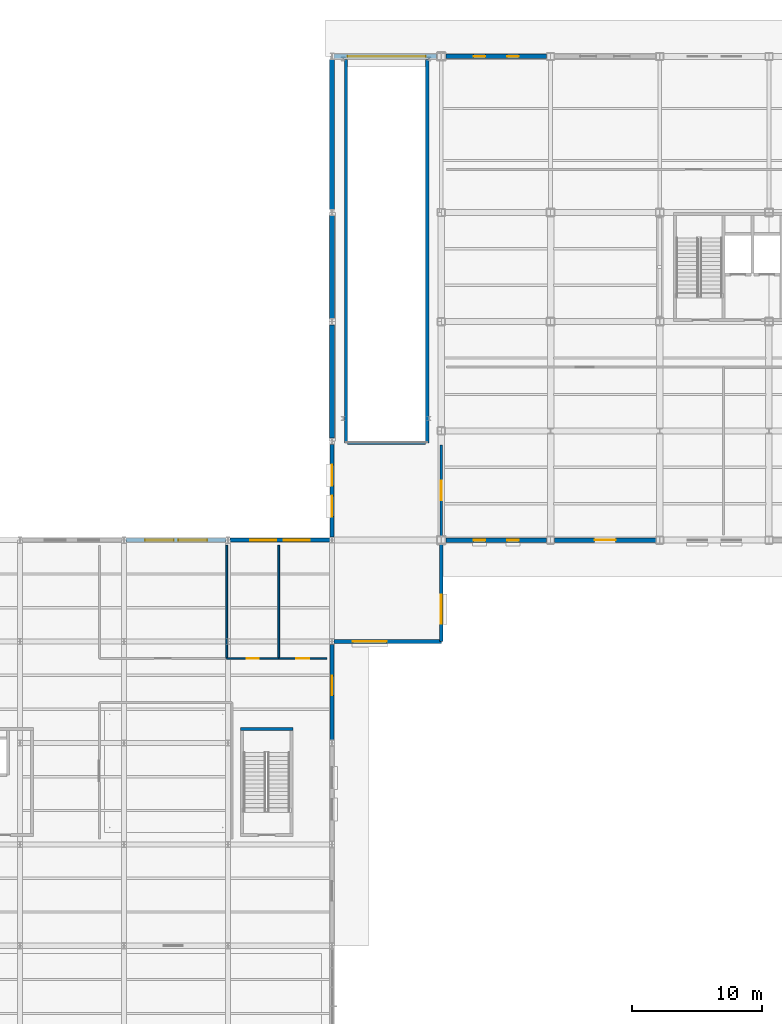
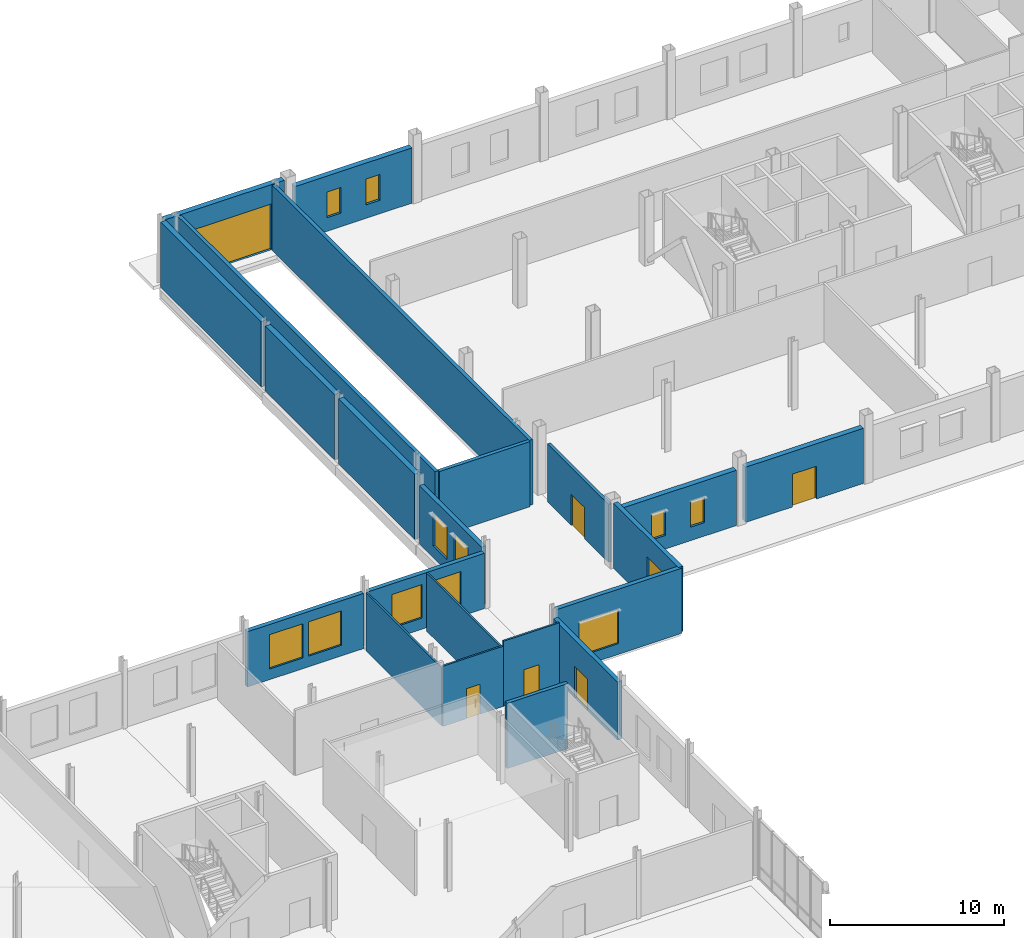
# One storey, part 57 of 82: 22 walls, 12 windows, 6 doors, 18 openings.
"""IFC4 building model written with IfcOpenShell, lengths in metres."""

import ifcopenshell
import ifcopenshell.guid

model = None  # the IFC model being written
_history = None  # IfcOwnerHistory: only IFC2X3 demands one
_inside = {}  # id of a spatial element -> (the spatial element, [elements in it])
_under = {}  # id of a project, library or spatial element -> (it, [spatial elements below it])
_declared = {}  # id of a project -> (the project, [libraries it declares])
_typed = {}  # id of a type object -> (the type object, [elements of that type])
_made_of = {}  # id of a material, layer set ... -> (it, [elements and type objects made of it])


def new_model(schema):
    """Start an empty IFC model of exactly this schema.

    Asked for "IFC4X3", IfcOpenShell would pick the latest addendum, in which some entities
    have other attributes; the version numbers below select the first issue.
    IFC2X3 requires an IfcOwnerHistory on every rooted entity: one is made here for all.
    """
    global model, _history
    if schema == "IFC4X3":
        model = ifcopenshell.file(schema_version=(4, 3, 0, 0))
    else:
        model = ifcopenshell.file(schema=schema)
    _inside.clear()
    _under.clear()
    _declared.clear()
    _typed.clear()
    _made_of.clear()
    _history = None
    if model.schema == "IFC2X3":
        org = make("IfcOrganization", Name="unknown")
        user = make(
            "IfcPersonAndOrganization",
            ThePerson=make("IfcPerson", FamilyName="unknown"),
            TheOrganization=org,
        )
        app = make(
            "IfcApplication",
            ApplicationDeveloper=org,
            Version="unknown",
            ApplicationFullName="unknown",
            ApplicationIdentifier="unknown",
        )
        _history = make(
            "IfcOwnerHistory",
            OwningUser=user,
            OwningApplication=app,
            ChangeAction="ADDED",
            CreationDate=0,
        )
    return model


def make(cls, **values):
    """One entity of the class cls with the attributes given. An attribute that is None is left unset."""
    return model.create_entity(
        cls, **{name: value for name, value in values.items() if value is not None}
    )


def rooted(cls, **values):
    """An entity with a GlobalId (a new one), such as an element, a storey or a relation."""
    return make(cls, GlobalId=ifcopenshell.guid.new(), OwnerHistory=_history, **values)


def si_unit(unit_type, name, prefix=None):
    """IfcSIUnit, for example si_unit("LENGTHUNIT", "METRE", prefix="MILLI")."""
    return make("IfcSIUnit", UnitType=unit_type, Prefix=prefix, Name=name)


def assignment(units):
    """IfcUnitAssignment: the units of a project."""
    return None if units is None else make("IfcUnitAssignment", Units=units)


def point(xyz):
    """IfcCartesianPoint."""
    return None if xyz is None else make("IfcCartesianPoint", Coordinates=xyz)


def direction(xyz):
    """IfcDirection."""
    return None if xyz is None else make("IfcDirection", DirectionRatios=xyz)


def frame(location, z_axis=None, x_axis=None):
    """IfcAxis2Placement3D, a coordinate frame: its origin and axes. An axis left out is left unset."""
    return make(
        "IfcAxis2Placement3D",
        Location=point(location),
        Axis=direction(z_axis),
        RefDirection=direction(x_axis),
    )


def frame_2d(location, x_axis=None):
    """IfcAxis2Placement2D, a coordinate frame in the plane: its origin and x axis."""
    return make(
        "IfcAxis2Placement2D", Location=point(location), RefDirection=direction(x_axis)
    )


def origin():
    """The frame at (0, 0, 0) with its axes left unset."""
    return frame((0.0, 0.0, 0.0))


def place(relative_to, where):
    """IfcLocalPlacement: puts the frame where relative to a parent placement (None: the world)."""
    return make(
        "IfcLocalPlacement", PlacementRelTo=relative_to, RelativePlacement=where
    )


def context(
    kind, dimensions, precision=None, world=None, true_north=None, identifier=None
):
    """IfcGeometricRepresentationContext, for example the 3D "Model" context."""
    return make(
        "IfcGeometricRepresentationContext",
        ContextIdentifier=identifier,
        ContextType=kind,
        CoordinateSpaceDimension=dimensions,
        Precision=precision,
        WorldCoordinateSystem=world,
        TrueNorth=true_north,
    )


def subcontext(parent, identifier, kind, view, scale=None):
    """IfcGeometricRepresentationSubContext, for example "Body" below "Model"."""
    return make(
        "IfcGeometricRepresentationSubContext",
        ContextIdentifier=identifier,
        ContextType=kind,
        ParentContext=parent,
        TargetScale=scale,
        TargetView=view,
    )


def project(units=None, contexts=None):
    """IfcProject with its units and contexts."""
    return rooted(
        "IfcProject",
        Name="project",
        RepresentationContexts=contexts,
        UnitsInContext=assignment(units),
    )


def spatial(cls, under=None, at=None, **own):
    """A site, building, storey or space (cls), placed at a placement, below another one or the project."""
    s = rooted(cls, ObjectPlacement=at, **own)
    if under is not None:
        _under.setdefault(under.id(), (under, []))[1].append(s)
    return s


def profile(cls, at=None, kind="AREA", **sizes):
    """A parametric profile (cls). Its sizes go by their IFC names, for example OverallWidth=200.0."""
    return make(cls, ProfileType=kind, Position=at, **sizes)


def rectangle(**sizes):
    """IfcRectangleProfileDef."""
    return profile("IfcRectangleProfileDef", **sizes)


def extrude(swept, where, along, depth):
    """IfcExtrudedAreaSolid: the profile swept, set in the frame where, extruded along a direction by depth."""
    return make(
        "IfcExtrudedAreaSolid",
        SweptArea=swept,
        Position=where,
        ExtrudedDirection=direction(along),
        Depth=depth,
    )


def shape(context_of_items, identifier, shape_type, items):
    """IfcShapeRepresentation: the items that make up one representation, for example the "Body"."""
    return make(
        "IfcShapeRepresentation",
        ContextOfItems=context_of_items,
        RepresentationIdentifier=identifier,
        RepresentationType=shape_type,
        Items=items,
    )


def material(Name=None, Category=None):
    """IfcMaterial."""
    return make("IfcMaterial", Name=Name, Category=Category)


def layer(
    of_material, thickness, ventilated=None, Name=None, Category=None, Priority=None
):
    """IfcMaterialLayer: one layer of a wall or slab, of a material (None: an air gap)."""
    return make(
        "IfcMaterialLayer",
        Material=of_material,
        LayerThickness=thickness,
        IsVentilated=ventilated,
        Name=Name,
        Category=Category,
        Priority=Priority,
    )


def layer_set(layers, Name=None):
    """IfcMaterialLayerSet."""
    return make("IfcMaterialLayerSet", MaterialLayers=layers, LayerSetName=Name)


def made_of(thing, what):
    """Note that an element or type object is made of a material, layer set ...; save() writes the relation."""
    if what is not None:
        _made_of.setdefault(what.id(), (what, []))[1].append(thing)
    return thing


def type_object(cls, material=None, **own):
    """A type object (cls), such as IfcWallType, which elements share."""
    return made_of(rooted(cls, **own), material)


def element(
    cls,
    number,
    at=None,
    inside=None,
    cuts=None,
    type_object=None,
    material=None,
    context=None,
    identifier="Body",
    shape_type=None,
    held_by="IfcProductDefinitionShape",
    body=None,
    shapes=None,
    **own,
):
    """One element of the class cls, such as IfcWall. Its Tag is "e" and its number.

    at: its placement. inside: the storey or other place that contains it. cuts: it is an
    opening in that element (IfcRelVoidsElement). A single representation is given by context,
    identifier, shape_type and body (its items); several are given by shapes. held_by: the class
    of the entity that holds the representations. save() writes the other relations.
    """
    e = rooted(cls, Tag="e%d" % number, ObjectPlacement=at, **own)
    if body is not None:
        shapes = [shape(context, identifier, shape_type, body)]
    if shapes is not None:
        e.Representation = make(held_by, Representations=shapes)
    if inside is not None:
        _inside.setdefault(inside.id(), (inside, []))[1].append(e)
    if cuts is not None:
        rooted(
            "IfcRelVoidsElement", RelatingBuildingElement=cuts, RelatedOpeningElement=e
        )
    if type_object is not None:
        _typed.setdefault(type_object.id(), (type_object, []))[1].append(e)
    return made_of(e, material)


def fill(opening, filler):
    """IfcRelFillsElement: the door or window that sits in an opening."""
    return rooted(
        "IfcRelFillsElement",
        RelatingOpeningElement=opening,
        RelatedBuildingElement=filler,
    )


def aggregate(whole, parts):
    """IfcRelAggregates: a whole, such as a stair, and the parts it consists of."""
    return rooted("IfcRelAggregates", RelatingObject=whole, RelatedObjects=parts)


def save(model, path):
    """Write the relations noted so far, then the file.

    IfcRelAggregates (storeys below a building ...), IfcRelContainedInSpatialStructure (elements
    in a storey), IfcRelDefinesByType, IfcRelAssociatesMaterial and IfcRelDeclares: one each for
    every whole, place, type object, material and project.
    """
    for whole, parts in _under.values():
        aggregate(whole, parts)
    for where, things in _inside.values():
        rooted(
            "IfcRelContainedInSpatialStructure",
            RelatedElements=things,
            RelatingStructure=where,
        )
    for kind, things in _typed.values():
        rooted("IfcRelDefinesByType", RelatedObjects=things, RelatingType=kind)
    for what, things in _made_of.values():
        rooted("IfcRelAssociatesMaterial", RelatedObjects=things, RelatingMaterial=what)
    for by, libraries in _declared.values():
        rooted("IfcRelDeclares", RelatingContext=by, RelatedDefinitions=libraries)
    model.write(path)


model = new_model("IFC4")

# Units and contexts
model_context = context("Model", 3, precision=1e-05, world=origin(), true_north=direction((0.0, 1.0)))
body_context = subcontext(model_context, "Body", "Model", "MODEL_VIEW")
ifc_project = project(units=[si_unit("LENGTHUNIT", "METRE"), si_unit("AREAUNIT", "SQUARE_METRE"), si_unit("VOLUMEUNIT", "CUBIC_METRE"), si_unit("PLANEANGLEUNIT", "RADIAN"), si_unit("MASSUNIT", "GRAM", prefix="KILO")], contexts=[model_context])

# Site, building, storey
site_placement = place(None, origin())
site = spatial("IfcSite", under=ifc_project, at=site_placement, CompositionType="ELEMENT")
building_placement = place(site_placement, origin())
building = spatial("IfcBuilding", under=site, at=building_placement, Name="Yukiwa Park Conservatory and Herbarium", CompositionType="ELEMENT")
storey_placement = place(building_placement, origin())
storey = spatial("IfcBuildingStorey", under=building, at=storey_placement, Name="L00", CompositionType="ELEMENT", Elevation=0.0)

# Walls
ifc_material_1 = material(Name="Concrete C50", Category="concrete")
ifc_layer_1 = layer(ifc_material_1, 0.239990234375)
ifc_layer_set_1 = layer_set([ifc_layer_1], Name="Concrete C50")
wall_type_1 = type_object("IfcWallType", Name="WL-CORE-RC240", PredefinedType="SHEAR", material=ifc_layer_set_1)
wall_1_placement = place(storey_placement, frame((100.9599609375, 63.469970703125, 0.0), z_axis=(0.0, 0.0, 1.0), x_axis=(1.0, 0.0, 0.0)))
element("IfcWall", 1, at=wall_1_placement, inside=storey, type_object=wall_type_1, Name="L00 core shear wall 114", PredefinedType="SHEAR", context=body_context, shape_type="SweptSolid", body=[
    extrude(rectangle(XDim=4.030029296875, YDim=0.239990234375, at=frame_2d((2.01513671875, 0.0))), origin(), (0.0, 0.0, 1.0), 4.56005859375),
])
for number, where, z_axis, x_axis, name in (
    (2, (109.080078125, 85.47998046875, 0.0), (0.0, 0.0, 1.0), (0.0, 1.0, 0.0), "L00 core shear wall 125"),
    (3, (115.320068359375, 85.47998046875, 0.0), (0.0, 0.0, 1.0), (0.0, 1.0, 0.0), "L00 core shear wall 126"),
):
    element("IfcWall", number, at=place(storey_placement, frame(where, z_axis=z_axis, x_axis=x_axis)), inside=storey, type_object=wall_type_1, Name=name, PredefinedType="SHEAR", context=body_context, shape_type="SweptSolid", body=[
        extrude(rectangle(XDim=29.469970703125, YDim=0.239990234375, at=frame_2d((14.73486328125, 0.0))), origin(), (0.0, 0.0, 1.0), 4.56005859375),
    ])
wall_2_placement = place(storey_placement, frame((109.199951171875, 85.47998046875, 0.0), z_axis=(0.0, 0.0, 1.0), x_axis=(1.0, 0.0, 0.0)))
element("IfcWall", 4, at=wall_2_placement, inside=storey, type_object=wall_type_1, Name="L00 core shear wall 127", PredefinedType="SHEAR", context=body_context, shape_type="SweptSolid", body=[
    extrude(rectangle(XDim=6.0, YDim=0.239990234375, at=frame_2d((3.0, 0.0))), origin(), (0.0, 0.0, 1.0), 4.56005859375),
])

# Wall, opening, door
ifc_material_2 = material(Name="Charred Larch Cladding", Category="wood")
ifc_layer_2 = layer(ifc_material_2, 0.2900390625)
ifc_layer_set_2 = layer_set([ifc_layer_2], Name="Charred Larch Cladding")
wall_type_2 = type_object("IfcWallType", Name="WL-EXT-LARCH-290", PredefinedType="SOLIDWALL", material=ifc_layer_set_2)
wall_3_placement = place(storey_placement, frame((108.0, 62.64404296875, 0.0), z_axis=(0.0, 0.0, 1.0), x_axis=(0.0, 1.0, 0.0)))
wall_3 = element("IfcWall", 5, at=wall_3_placement, inside=storey, type_object=wall_type_2, Name="L00 exterior envelope wall 98", PredefinedType="SOLIDWALL", context=body_context, shape_type="SweptSolid", body=[
    extrude(rectangle(XDim=7.3359375, YDim=0.2900390625, at=frame_2d((3.66796875, 0.0))), origin(), (0.0, 0.0, 1.0), 4.06591796875),
])
opening_1_placement = place(wall_3_placement, frame((3.406005859375, 0.0, 0.0)))
opening_1 = element("IfcOpeningElement", 6, at=opening_1_placement, cuts=wall_3, Name="Opening EX-D3", PredefinedType="OPENING", context=body_context, shape_type="SweptSolid", body=[
    extrude(rectangle(XDim=1.5, YDim=2.199951171875, at=frame_2d((0.75, 1.10009765625))), frame((0.0, 0.155029296875, 0.0), z_axis=(0.0, -1.0, 0.0), x_axis=(1.0, 0.0, 0.0)), (0.0, 0.0, 1.0), 0.31005859375),
])
ifc_material_3 = material(Name="Steel Q235B", Category="steel")
door_type_1 = type_object("IfcDoorType", Name="DR-EXT-1500X2200", OperationType="DOUBLE_DOOR_SINGLE_SWING", PredefinedType="DOOR", material=ifc_material_3)
door_1_placement = place(opening_1_placement, frame((1.5, 0.0, 0.0), z_axis=(0.0, 0.0, 1.0), x_axis=(-1.0, 0.0, 0.0)))
door_1 = element("IfcDoor", 7, at=door_1_placement, inside=storey, type_object=door_type_1, Name="Visitor Centre NE corridor exit EX-12", OperationType="DOUBLE_DOOR_SINGLE_SWING", OverallHeight=2.199951171875, OverallWidth=1.5, PredefinedType="DOOR", context=body_context, shape_type="SweptSolid", body=[
    extrude(rectangle(XDim=1.5, YDim=2.199951171875, at=frame_2d((0.75, 1.10009765625))), frame((0.0, 0.02490234375, 0.0), z_axis=(0.0, -1.0, 0.0), x_axis=(1.0, 0.0, 0.0)), (0.0, 0.0, 1.0), 0.050048828125),
])
fill(opening_1, door_1)

# Wall, opening, window
wall_4_placement = place(storey_placement, frame((108.14990234375, 70.199951171875, 0.0), z_axis=(0.0, 0.0, 1.0), x_axis=(1.0, 0.0, 0.0)))
wall_4 = element("IfcWall", 8, at=wall_4_placement, inside=storey, type_object=wall_type_2, Name="L00 exterior envelope wall 99", PredefinedType="SOLIDWALL", context=body_context, shape_type="SweptSolid", body=[
    extrude(rectangle(XDim=8.25, YDim=0.2900390625, at=frame_2d((4.125, 0.0))), origin(), (0.0, 0.0, 1.0), 4.56005859375),
])
opening_2_placement = place(wall_4_placement, frame((1.449951171875, 0.0, 0.75)))
opening_2 = element("IfcOpeningElement", 9, at=opening_2_placement, cuts=wall_4, Name="Opening W-14", PredefinedType="OPENING", context=body_context, shape_type="SweptSolid", body=[
    extrude(rectangle(XDim=2.60009765625, YDim=2.39990234375, at=frame_2d((1.300048828125, 1.199951171875))), frame((0.0, 0.155029296875, 0.0), z_axis=(0.0, -1.0, 0.0), x_axis=(1.0, 0.0, 0.0)), (0.0, 0.0, 1.0), 0.31005859375),
])
ifc_material_4 = material(Name="Triple Low-E Insulated Glass", Category="glass")
window_type_1 = type_object("IfcWindowType", Name="WN-VS-2600X2400", PartitioningType="SINGLE_PANEL", PredefinedType="WINDOW", material=ifc_material_4)
window_1_placement = place(opening_2_placement, origin())
window_1 = element("IfcWindow", 10, at=window_1_placement, inside=storey, type_object=window_type_1, Name="L00 deep-reveal triple-glazed window 3", OverallHeight=2.39990234375, OverallWidth=2.60009765625, PartitioningType="SINGLE_PANEL", PredefinedType="WINDOW", context=body_context, shape_type="SweptSolid", body=[
    extrude(rectangle(XDim=2.60009765625, YDim=2.39990234375, at=frame_2d((1.300048828125, 1.199951171875))), frame((0.0, 0.030029296875, 0.0), z_axis=(0.0, -1.0, 0.0), x_axis=(1.0, 0.0, 0.0)), (0.0, 0.0, 1.0), 0.06005859375),
])
fill(opening_2, window_1)

wall_5_placement = place(storey_placement, frame((116.39990234375, 70.199951171875, 0.0), z_axis=(0.0, 0.0, 1.0), x_axis=(0.0, 1.0, 0.0)))
wall_5 = element("IfcWall", 11, at=wall_5_placement, inside=storey, type_object=wall_type_2, Name="L00 exterior envelope wall 100", PredefinedType="SOLIDWALL", context=body_context, shape_type="SweptSolid", body=[
    extrude(rectangle(XDim=7.449951171875, YDim=0.2900390625, at=frame_2d((3.72509765625, 0.0))), origin(), (0.0, 0.0, 1.0), 4.56005859375),
])
opening_3_placement = place(wall_5_placement, frame((1.383056640625, 0.0, 0.75)))
opening_3 = element("IfcOpeningElement", 12, at=opening_3_placement, cuts=wall_5, Name="Opening W-13", PredefinedType="OPENING", context=body_context, shape_type="SweptSolid", body=[
    extrude(rectangle(XDim=2.199951171875, YDim=2.39990234375, at=frame_2d((1.10009765625, 1.199951171875))), frame((0.0, 0.155029296875, 0.0), z_axis=(0.0, -1.0, 0.0), x_axis=(1.0, 0.0, 0.0)), (0.0, 0.0, 1.0), 0.31005859375),
])
ifc_material_5 = material(Name="Triple Low-E Insulated Glass", Category="glass")
window_type_2 = type_object("IfcWindowType", Name="WN-VS-2200X2400", PartitioningType="SINGLE_PANEL", PredefinedType="WINDOW", material=ifc_material_5)
window_2_placement = place(opening_3_placement, origin())
window_2 = element("IfcWindow", 13, at=window_2_placement, inside=storey, type_object=window_type_2, Name="L00 deep-reveal triple-glazed window 4", OverallHeight=2.39990234375, OverallWidth=2.199951171875, PartitioningType="SINGLE_PANEL", PredefinedType="WINDOW", context=body_context, shape_type="SweptSolid", body=[
    extrude(rectangle(XDim=2.199951171875, YDim=2.39990234375, at=frame_2d((1.10009765625, 1.199951171875))), frame((0.0, 0.030029296875, 0.0), z_axis=(0.0, -1.0, 0.0), x_axis=(1.0, 0.0, 0.0)), (0.0, 0.0, 1.0), 0.06005859375),
])
fill(opening_3, window_2)

# Wall, openings, windows
wall_6_placement = place(storey_placement, frame((108.0, 85.35595703125, 0.0), z_axis=(0.0, 0.0, 1.0), x_axis=(0.0, -1.0, 0.0)))
wall_6 = element("IfcWall", 14, at=wall_6_placement, inside=storey, type_object=wall_type_2, Name="L00 exterior envelope wall 121", PredefinedType="SOLIDWALL", context=body_context, shape_type="SweptSolid", body=[
    extrude(rectangle(XDim=7.135986328125, YDim=0.2900390625, at=frame_2d((3.56787109375, 0.0))), origin(), (0.0, 0.0, 1.0), 4.06591796875),
])
opening_4_placement = place(wall_6_placement, frame((1.5791015625, 0.0, 0.800048828125)))
opening_4 = element("IfcOpeningElement", 15, at=opening_4_placement, cuts=wall_6, Name="Opening W-28", PredefinedType="OPENING", context=body_context, shape_type="SweptSolid", body=[
    extrude(rectangle(XDim=1.60009765625, YDim=2.300048828125, at=frame_2d((0.800048828125, 1.14990234375))), frame((0.0, 0.155029296875, 0.0), z_axis=(0.0, -1.0, 0.0), x_axis=(1.0, 0.0, 0.0)), (0.0, 0.0, 1.0), 0.31005859375),
])
opening_5_placement = place(wall_6_placement, frame((3.95703125, 0.0, 0.800048828125)))
opening_5 = element("IfcOpeningElement", 16, at=opening_5_placement, cuts=wall_6, Name="Opening W-28", PredefinedType="OPENING", context=body_context, shape_type="SweptSolid", body=[
    extrude(rectangle(XDim=1.60009765625, YDim=2.300048828125, at=frame_2d((0.800048828125, 1.14990234375))), frame((0.0, 0.155029296875, 0.0), z_axis=(0.0, -1.0, 0.0), x_axis=(1.0, 0.0, 0.0)), (0.0, 0.0, 1.0), 0.31005859375),
])
ifc_material_6 = material(Name="Triple Low-E Insulated Glass", Category="glass")
window_type_3 = type_object("IfcWindowType", Name="WN-VS-1600X2300", PartitioningType="SINGLE_PANEL", PredefinedType="WINDOW", material=ifc_material_6)
window_3_placement = place(opening_4_placement, origin())
window_3 = element("IfcWindow", 17, at=window_3_placement, inside=storey, type_object=window_type_3, Name="L00 deep-reveal triple-glazed window 23", OverallHeight=2.300048828125, OverallWidth=1.60009765625, PartitioningType="SINGLE_PANEL", PredefinedType="WINDOW", context=body_context, shape_type="SweptSolid", body=[
    extrude(rectangle(XDim=1.60009765625, YDim=2.300048828125, at=frame_2d((0.800048828125, 1.14990234375))), frame((0.0, 0.030029296875, 0.0), z_axis=(0.0, -1.0, 0.0), x_axis=(1.0, 0.0, 0.0)), (0.0, 0.0, 1.0), 0.06005859375),
])
fill(opening_4, window_3)
window_4_placement = place(opening_5_placement, origin())
window_4 = element("IfcWindow", 18, at=window_4_placement, inside=storey, type_object=window_type_3, Name="L00 deep-reveal triple-glazed window 24", OverallHeight=2.300048828125, OverallWidth=1.60009765625, PartitioningType="SINGLE_PANEL", PredefinedType="WINDOW", context=body_context, shape_type="SweptSolid", body=[
    extrude(rectangle(XDim=1.60009765625, YDim=2.300048828125, at=frame_2d((0.800048828125, 1.14990234375))), frame((0.0, 0.030029296875, 0.0), z_axis=(0.0, -1.0, 0.0), x_axis=(1.0, 0.0, 0.0)), (0.0, 0.0, 1.0), 0.06005859375),
])
fill(opening_5, window_4)

wall_7_placement = place(storey_placement, frame((107.85009765625, 78.0, 0.0), z_axis=(0.0, 0.0, 1.0), x_axis=(-1.0, 0.0, 0.0)))
wall_7 = element("IfcWall", 19, at=wall_7_placement, inside=storey, type_object=wall_type_2, Name="L00 exterior envelope wall 122", PredefinedType="SOLIDWALL", context=body_context, shape_type="SweptSolid", body=[
    extrude(rectangle(XDim=7.7001953125, YDim=0.2900390625, at=frame_2d((3.85009765625, 0.0))), origin(), (0.0, 0.0, 1.0), 3.867919921875),
])
opening_6_placement = place(wall_7_placement, frame((1.56689453125, 0.0, 0.780029296875)))
opening_6 = element("IfcOpeningElement", 20, at=opening_6_placement, cuts=wall_7, Name="Opening W-29", PredefinedType="OPENING", context=body_context, shape_type="SweptSolid", body=[
    extrude(rectangle(XDim=2.0, YDim=2.35009765625, at=frame_2d((1.0, 1.175048828125))), frame((0.0, 0.155029296875, 0.0), z_axis=(0.0, -1.0, 0.0), x_axis=(1.0, 0.0, 0.0)), (0.0, 0.0, 1.0), 0.31005859375),
])
opening_7_placement = place(wall_7_placement, frame((4.133056640625, 0.0, 0.780029296875)))
opening_7 = element("IfcOpeningElement", 21, at=opening_7_placement, cuts=wall_7, Name="Opening W-29", PredefinedType="OPENING", context=body_context, shape_type="SweptSolid", body=[
    extrude(rectangle(XDim=2.0, YDim=2.35009765625, at=frame_2d((1.0, 1.175048828125))), frame((0.0, 0.155029296875, 0.0), z_axis=(0.0, -1.0, 0.0), x_axis=(1.0, 0.0, 0.0)), (0.0, 0.0, 1.0), 0.31005859375),
])
ifc_material_7 = material(Name="Triple Low-E Insulated Glass", Category="glass")
window_type_4 = type_object("IfcWindowType", Name="WN-VS-2000X2350", PartitioningType="SINGLE_PANEL", PredefinedType="WINDOW", material=ifc_material_7)
window_5_placement = place(opening_6_placement, origin())
window_5 = element("IfcWindow", 22, at=window_5_placement, inside=storey, type_object=window_type_4, Name="L00 deep-reveal triple-glazed window 25", OverallHeight=2.35009765625, OverallWidth=2.0, PartitioningType="SINGLE_PANEL", PredefinedType="WINDOW", context=body_context, shape_type="SweptSolid", body=[
    extrude(rectangle(XDim=2.0, YDim=2.35009765625, at=frame_2d((1.0, 1.175048828125))), frame((0.0, 0.030029296875, 0.0), z_axis=(0.0, -1.0, 0.0), x_axis=(1.0, 0.0, 0.0)), (0.0, 0.0, 1.0), 0.06005859375),
])
fill(opening_6, window_5)
window_6_placement = place(opening_7_placement, origin())
window_6 = element("IfcWindow", 23, at=window_6_placement, inside=storey, type_object=window_type_4, Name="L00 deep-reveal triple-glazed window 26", OverallHeight=2.35009765625, OverallWidth=2.0, PartitioningType="SINGLE_PANEL", PredefinedType="WINDOW", context=body_context, shape_type="SweptSolid", body=[
    extrude(rectangle(XDim=2.0, YDim=2.35009765625, at=frame_2d((1.0, 1.175048828125))), frame((0.0, 0.030029296875, 0.0), z_axis=(0.0, -1.0, 0.0), x_axis=(1.0, 0.0, 0.0)), (0.0, 0.0, 1.0), 0.06005859375),
])
fill(opening_7, window_6)

wall_8_placement = place(storey_placement, frame((99.85009765625, 78.0, 0.0), z_axis=(0.0, 0.0, 1.0), x_axis=(-1.0, 0.0, 0.0)))
wall_8 = element("IfcWall", 24, at=wall_8_placement, inside=storey, type_object=wall_type_2, Name="L00 exterior envelope wall 123", PredefinedType="SOLIDWALL", context=body_context, shape_type="SweptSolid", body=[
    extrude(rectangle(XDim=7.7001953125, YDim=0.2900390625, at=frame_2d((3.85009765625, 0.0))), origin(), (0.0, 0.0, 1.0), 3.867919921875),
])
opening_8_placement = place(wall_8_placement, frame((1.467041015625, 0.0, 0.75)))
opening_8 = element("IfcOpeningElement", 25, at=opening_8_placement, cuts=wall_8, Name="Opening W-13", PredefinedType="OPENING", context=body_context, shape_type="SweptSolid", body=[
    extrude(rectangle(XDim=2.199951171875, YDim=2.39990234375, at=frame_2d((1.10009765625, 1.199951171875))), frame((0.0, 0.155029296875, 0.0), z_axis=(0.0, -1.0, 0.0), x_axis=(1.0, 0.0, 0.0)), (0.0, 0.0, 1.0), 0.31005859375),
])
opening_9_placement = place(wall_8_placement, frame((4.032958984375, 0.0, 0.75)))
opening_9 = element("IfcOpeningElement", 26, at=opening_9_placement, cuts=wall_8, Name="Opening W-13", PredefinedType="OPENING", context=body_context, shape_type="SweptSolid", body=[
    extrude(rectangle(XDim=2.199951171875, YDim=2.39990234375, at=frame_2d((1.10009765625, 1.199951171875))), frame((0.0, 0.155029296875, 0.0), z_axis=(0.0, -1.0, 0.0), x_axis=(1.0, 0.0, 0.0)), (0.0, 0.0, 1.0), 0.31005859375),
])
window_7_placement = place(opening_8_placement, origin())
window_7 = element("IfcWindow", 27, at=window_7_placement, inside=storey, type_object=window_type_2, Name="L00 deep-reveal triple-glazed window 27", OverallHeight=2.39990234375, OverallWidth=2.199951171875, PartitioningType="SINGLE_PANEL", PredefinedType="WINDOW", context=body_context, shape_type="SweptSolid", body=[
    extrude(rectangle(XDim=2.199951171875, YDim=2.39990234375, at=frame_2d((1.10009765625, 1.199951171875))), frame((0.0, 0.030029296875, 0.0), z_axis=(0.0, -1.0, 0.0), x_axis=(1.0, 0.0, 0.0)), (0.0, 0.0, 1.0), 0.06005859375),
])
fill(opening_8, window_7)
window_8_placement = place(opening_9_placement, origin())
window_8 = element("IfcWindow", 28, at=window_8_placement, inside=storey, type_object=window_type_2, Name="L00 deep-reveal triple-glazed window 28", OverallHeight=2.39990234375, OverallWidth=2.199951171875, PartitioningType="SINGLE_PANEL", PredefinedType="WINDOW", context=body_context, shape_type="SweptSolid", body=[
    extrude(rectangle(XDim=2.199951171875, YDim=2.39990234375, at=frame_2d((1.10009765625, 1.199951171875))), frame((0.0, 0.030029296875, 0.0), z_axis=(0.0, -1.0, 0.0), x_axis=(1.0, 0.0, 0.0)), (0.0, 0.0, 1.0), 0.06005859375),
])
fill(opening_9, window_8)

ifc_material_8 = material(Name="Pale Granite Cladding", Category="masonry")
ifc_layer_3 = layer(ifc_material_8, 0.360107421875)
ifc_layer_set_3 = layer_set([ifc_layer_3], Name="Pale Granite Cladding")
wall_type_3 = type_object("IfcWallType", Name="WL-EXT-PLINTH-360", PredefinedType="SOLIDWALL", material=ifc_layer_set_3)
wall_9_placement = place(storey_placement, frame((116.75, 78.0, 0.0), z_axis=(0.0, 0.0, 1.0), x_axis=(1.0, 0.0, 0.0)))
wall_9 = element("IfcWall", 29, at=wall_9_placement, inside=storey, type_object=wall_type_3, Name="L00 exterior envelope wall 101", PredefinedType="SOLIDWALL", context=body_context, shape_type="SweptSolid", body=[
    extrude(rectangle(XDim=7.75, YDim=0.360107421875, at=frame_2d((3.875, 0.0))), origin(), (0.0, 0.0, 1.0), 3.867919921875),
])
opening_10_placement = place(wall_9_placement, frame((2.133056640625, 0.0, 0.949951171875)))
opening_10 = element("IfcOpeningElement", 30, at=opening_10_placement, cuts=wall_9, Name="Opening W-01", PredefinedType="OPENING", context=body_context, shape_type="SweptSolid", body=[
    extrude(rectangle(XDim=0.89990234375, YDim=1.800048828125, at=frame_2d((0.449951171875, 0.89990234375))), frame((0.0, 0.18994140625, 0.0), z_axis=(0.0, -1.0, 0.0), x_axis=(1.0, 0.0, 0.0)), (0.0, 0.0, 1.0), 0.380126953125),
])
opening_11_placement = place(wall_9_placement, frame((4.717041015625, 0.0, 0.949951171875)))
opening_11 = element("IfcOpeningElement", 31, at=opening_11_placement, cuts=wall_9, Name="Opening W-01", PredefinedType="OPENING", context=body_context, shape_type="SweptSolid", body=[
    extrude(rectangle(XDim=0.89990234375, YDim=1.800048828125, at=frame_2d((0.449951171875, 0.89990234375))), frame((0.0, 0.18994140625, 0.0), z_axis=(0.0, -1.0, 0.0), x_axis=(1.0, 0.0, 0.0)), (0.0, 0.0, 1.0), 0.380126953125),
])
ifc_material_9 = material(Name="Triple Low-E Insulated Glass", Category="glass")
window_type_5 = type_object("IfcWindowType", Name="WN-TW-0900X1800", PartitioningType="SINGLE_PANEL", PredefinedType="WINDOW", material=ifc_material_9)
window_9_placement = place(opening_10_placement, origin())
window_9 = element("IfcWindow", 32, at=window_9_placement, inside=storey, type_object=window_type_5, Name="L00 deep-reveal triple-glazed window 5", OverallHeight=1.800048828125, OverallWidth=0.89990234375, PartitioningType="SINGLE_PANEL", PredefinedType="WINDOW", context=body_context, shape_type="SweptSolid", body=[
    extrude(rectangle(XDim=0.89990234375, YDim=1.800048828125, at=frame_2d((0.449951171875, 0.89990234375))), frame((0.0, 0.030029296875, 0.0), z_axis=(0.0, -1.0, 0.0), x_axis=(1.0, 0.0, 0.0)), (0.0, 0.0, 1.0), 0.06005859375),
])
fill(opening_10, window_9)
window_10_placement = place(opening_11_placement, origin())
window_10 = element("IfcWindow", 33, at=window_10_placement, inside=storey, type_object=window_type_5, Name="L00 deep-reveal triple-glazed window 6", OverallHeight=1.800048828125, OverallWidth=0.89990234375, PartitioningType="SINGLE_PANEL", PredefinedType="WINDOW", context=body_context, shape_type="SweptSolid", body=[
    extrude(rectangle(XDim=0.89990234375, YDim=1.800048828125, at=frame_2d((0.449951171875, 0.89990234375))), frame((0.0, 0.030029296875, 0.0), z_axis=(0.0, -1.0, 0.0), x_axis=(1.0, 0.0, 0.0)), (0.0, 0.0, 1.0), 0.06005859375),
])
fill(opening_11, window_10)

# Wall, opening, door
wall_10_placement = place(storey_placement, frame((125.10009765625, 78.0, 0.0), z_axis=(0.0, 0.0, 1.0), x_axis=(1.0, 0.0, 0.0)))
wall_10 = element("IfcWall", 34, at=wall_10_placement, inside=storey, type_object=wall_type_3, Name="L00 exterior envelope wall 102", PredefinedType="SOLIDWALL", context=body_context, shape_type="SweptSolid", body=[
    extrude(rectangle(XDim=7.7998046875, YDim=0.360107421875, at=frame_2d((3.89990234375, 0.0))), origin(), (0.0, 0.0, 1.0), 3.867919921875),
])
opening_12_placement = place(wall_10_placement, frame((3.10009765625, 0.0, 0.0)))
opening_12 = element("IfcOpeningElement", 35, at=opening_12_placement, cuts=wall_10, Name="Opening EX-D2", PredefinedType="OPENING", context=body_context, shape_type="SweptSolid", body=[
    extrude(rectangle(XDim=1.60009765625, YDim=2.300048828125, at=frame_2d((0.800048828125, 1.14990234375))), frame((0.0, 0.18994140625, 0.0), z_axis=(0.0, -1.0, 0.0), x_axis=(1.0, 0.0, 0.0)), (0.0, 0.0, 1.0), 0.380126953125),
])
ifc_material_10 = material(Name="Anodised Aluminium", Category="aluminium")
door_type_2 = type_object("IfcDoorType", Name="DR-EXT-1600X2300", OperationType="DOUBLE_DOOR_SINGLE_SWING", PredefinedType="DOOR", material=ifc_material_10)
door_2_placement = place(opening_12_placement, frame((1.60009765625, 0.0, 0.0), z_axis=(0.0, 0.0, 1.0), x_axis=(-1.0, 0.0, 0.0)))
door_2 = element("IfcDoor", 36, at=door_2_placement, inside=storey, type_object=door_type_2, Name="Tower Herbarium South forecourt entrance EX-19", OperationType="DOUBLE_DOOR_SINGLE_SWING", OverallHeight=2.300048828125, OverallWidth=1.60009765625, PredefinedType="DOOR", context=body_context, shape_type="SweptSolid", body=[
    extrude(rectangle(XDim=1.60009765625, YDim=2.300048828125, at=frame_2d((0.800048828125, 1.14990234375))), frame((0.0, 0.02490234375, 0.0), z_axis=(0.0, -1.0, 0.0), x_axis=(1.0, 0.0, 0.0)), (0.0, 0.0, 1.0), 0.050048828125),
])
fill(opening_12, door_2)

# Wall, openings, windows
wall_11_placement = place(storey_placement, frame((124.5, 115.199951171875, 0.0), z_axis=(0.0, 0.0, 1.0), x_axis=(-1.0, 0.0, 0.0)))
wall_11 = element("IfcWall", 37, at=wall_11_placement, inside=storey, type_object=wall_type_3, Name="L00 exterior envelope wall 116", PredefinedType="SOLIDWALL", context=body_context, shape_type="SweptSolid", body=[
    extrude(rectangle(XDim=7.75, YDim=0.360107421875, at=frame_2d((3.875, 0.0))), origin(), (0.0, 0.0, 1.0), 3.867919921875),
])
opening_13_placement = place(wall_11_placement, frame((2.133056640625, 0.0, 0.949951171875)))
opening_13 = element("IfcOpeningElement", 38, at=opening_13_placement, cuts=wall_11, Name="Opening W-01", PredefinedType="OPENING", context=body_context, shape_type="SweptSolid", body=[
    extrude(rectangle(XDim=0.89990234375, YDim=1.800048828125, at=frame_2d((0.449951171875, 0.89990234375))), frame((0.0, 0.18994140625, 0.0), z_axis=(0.0, -1.0, 0.0), x_axis=(1.0, 0.0, 0.0)), (0.0, 0.0, 1.0), 0.380126953125),
])
opening_14_placement = place(wall_11_placement, frame((4.717041015625, 0.0, 0.949951171875)))
opening_14 = element("IfcOpeningElement", 39, at=opening_14_placement, cuts=wall_11, Name="Opening W-01", PredefinedType="OPENING", context=body_context, shape_type="SweptSolid", body=[
    extrude(rectangle(XDim=0.89990234375, YDim=1.800048828125, at=frame_2d((0.449951171875, 0.89990234375))), frame((0.0, 0.18994140625, 0.0), z_axis=(0.0, -1.0, 0.0), x_axis=(1.0, 0.0, 0.0)), (0.0, 0.0, 1.0), 0.380126953125),
])
window_11_placement = place(opening_13_placement, origin())
window_11 = element("IfcWindow", 40, at=window_11_placement, inside=storey, type_object=window_type_5, Name="L00 deep-reveal triple-glazed window 21", OverallHeight=1.800048828125, OverallWidth=0.89990234375, PartitioningType="SINGLE_PANEL", PredefinedType="WINDOW", context=body_context, shape_type="SweptSolid", body=[
    extrude(rectangle(XDim=0.89990234375, YDim=1.800048828125, at=frame_2d((0.449951171875, 0.89990234375))), frame((0.0, 0.030029296875, 0.0), z_axis=(0.0, -1.0, 0.0), x_axis=(1.0, 0.0, 0.0)), (0.0, 0.0, 1.0), 0.06005859375),
])
fill(opening_13, window_11)
window_12_placement = place(opening_14_placement, origin())
window_12 = element("IfcWindow", 41, at=window_12_placement, inside=storey, type_object=window_type_5, Name="L00 deep-reveal triple-glazed window 22", OverallHeight=1.800048828125, OverallWidth=0.89990234375, PartitioningType="SINGLE_PANEL", PredefinedType="WINDOW", context=body_context, shape_type="SweptSolid", body=[
    extrude(rectangle(XDim=0.89990234375, YDim=1.800048828125, at=frame_2d((0.449951171875, 0.89990234375))), frame((0.0, 0.030029296875, 0.0), z_axis=(0.0, -1.0, 0.0), x_axis=(1.0, 0.0, 0.0)), (0.0, 0.0, 1.0), 0.06005859375),
])
fill(opening_14, window_12)

# Wall, opening, door
wall_12_placement = place(storey_placement, frame((116.050048828125, 115.199951171875, 0.0), z_axis=(0.0, 0.0, 1.0), x_axis=(-1.0, 0.0, 0.0)))
wall_12 = element("IfcWall", 42, at=wall_12_placement, inside=storey, type_object=wall_type_3, Name="L00 exterior envelope wall 117", PredefinedType="SOLIDWALL", context=body_context, shape_type="SweptSolid", body=[
    extrude(rectangle(XDim=7.900146484375, YDim=0.360107421875, at=frame_2d((3.9501953125, 0.0))), origin(), (0.0, 0.0, 1.0), 4.56005859375),
])
opening_15_placement = place(wall_12_placement, frame((0.85009765625, 0.0, 0.0)))
opening_15 = element("IfcOpeningElement", 43, at=opening_15_placement, cuts=wall_12, Name="Opening VG-01", PredefinedType="OPENING", context=body_context, shape_type="SweptSolid", body=[
    extrude(rectangle(XDim=6.0, YDim=3.199951171875, at=frame_2d((3.0, 1.60009765625))), frame((0.0, 0.18994140625, 0.0), z_axis=(0.0, -1.0, 0.0), x_axis=(1.0, 0.0, 0.0)), (0.0, 0.0, 1.0), 0.380126953125),
])
ifc_material_11 = material(Name="Steel Q235B", Category="steel")
door_type_3 = type_object("IfcDoorType", Name="DR-RAMP-VG6000", OperationType="ROLLINGUP", PredefinedType="GATE", material=ifc_material_11)
door_3_placement = place(opening_15_placement, frame((6.0, 0.0, 0.0), z_axis=(0.0, 0.0, 1.0), x_axis=(-1.0, 0.0, 0.0)))
door_3 = element("IfcDoor", 44, at=door_3_placement, inside=storey, type_object=door_type_3, Name="Basement Service Ramp R1 insulated roller shutter VG-01", OperationType="ROLLINGUP", OverallHeight=3.199951171875, OverallWidth=6.0, PredefinedType="GATE", context=body_context, shape_type="SweptSolid", body=[
    extrude(rectangle(XDim=6.0, YDim=3.199951171875, at=frame_2d((3.0, 1.60009765625))), frame((0.0, 0.02490234375, 0.0), z_axis=(0.0, -1.0, 0.0), x_axis=(1.0, 0.0, 0.0)), (0.0, 0.0, 1.0), 0.050048828125),
])
fill(opening_15, door_3)

# Walls
wall_13_placement = place(storey_placement, frame((108.0, 114.9560546875, 0.0), z_axis=(0.0, 0.0, 1.0), x_axis=(0.0, -1.0, 0.0)))
element("IfcWall", 45, at=wall_13_placement, inside=storey, type_object=wall_type_3, Name="L00 exterior envelope wall 118", PredefinedType="SOLIDWALL", context=body_context, shape_type="SweptSolid", body=[
    extrude(rectangle(XDim=11.511962890625, YDim=0.360107421875, at=frame_2d((5.755859375, 0.0))), origin(), (0.0, 0.0, 1.0), 4.56005859375),
])
wall_14_placement = place(storey_placement, frame((108.0, 102.9560546875, 0.0), z_axis=(0.0, 0.0, 1.0), x_axis=(0.0, -1.0, 0.0)))
element("IfcWall", 46, at=wall_14_placement, inside=storey, type_object=wall_type_3, Name="L00 exterior envelope wall 119", PredefinedType="SOLIDWALL", context=body_context, shape_type="SweptSolid", body=[
    extrude(rectangle(XDim=7.912109375, YDim=0.360107421875, at=frame_2d((3.9560546875, 0.0))), origin(), (0.0, 0.0, 1.0), 4.56005859375),
])
wall_15_placement = place(storey_placement, frame((108.0, 94.555908203125, 0.0), z_axis=(0.0, 0.0, 1.0), x_axis=(0.0, -1.0, 0.0)))
element("IfcWall", 47, at=wall_15_placement, inside=storey, type_object=wall_type_3, Name="L00 exterior envelope wall 120", PredefinedType="SOLIDWALL", context=body_context, shape_type="SweptSolid", body=[
    extrude(rectangle(XDim=8.7119140625, YDim=0.360107421875, at=frame_2d((4.35595703125, 0.0))), origin(), (0.0, 0.0, 1.0), 4.56005859375),
])

# Wall, opening, door
ifc_material_12 = material(Name="Gypsum Board Partition", Category="gypsum")
ifc_layer_4 = layer(ifc_material_12, 0.199951171875)
ifc_layer_set_4 = layer_set([ifc_layer_4], Name="Gypsum Board Partition")
wall_type_4 = type_object("IfcWallType", Name="WL-PART-FIRE-200", PredefinedType="SOLIDWALL", material=ifc_layer_set_4)
wall_16_placement = place(storey_placement, frame((116.39990234375, 78.300048828125, 0.0), z_axis=(0.0, 0.0, 1.0), x_axis=(0.0, 1.0, 0.0)))
wall_16 = element("IfcWall", 48, at=wall_16_placement, inside=storey, type_object=wall_type_4, Name="L00 interior partition wall 151", PredefinedType="SOLIDWALL", context=body_context, shape_type="SweptSolid", body=[
    extrude(rectangle(XDim=7.0, YDim=0.199951171875, at=frame_2d((3.5, 0.0))), origin(), (0.0, 0.0, 1.0), 4.06005859375),
])
opening_16_placement = place(wall_16_placement, frame((2.75, 0.0, 0.0)))
opening_16 = element("IfcOpeningElement", 49, at=opening_16_placement, cuts=wall_16, Name="Opening FD-04", PredefinedType="OPENING", context=body_context, shape_type="SweptSolid", body=[
    extrude(rectangle(XDim=1.52001953125, YDim=2.179931640625, at=frame_2d((0.760009765625, 1.08984375))), frame((0.0, 0.10986328125, 0.0), z_axis=(0.0, -1.0, 0.0), x_axis=(1.0, 0.0, 0.0)), (0.0, 0.0, 1.0), 0.219970703125),
])
ifc_material_13 = material(Name="Steel Q235B", Category="steel")
door_type_4 = type_object("IfcDoorType", Name="DR-FIRE-FD90-1500", OperationType="DOUBLE_DOOR_SINGLE_SWING", PredefinedType="DOOR", material=ifc_material_13)
door_4_placement = place(opening_16_placement, origin())
door_4 = element("IfcDoor", 50, at=door_4_placement, inside=storey, type_object=door_type_4, Name="L00 Tower Ground fire compartment door", OperationType="DOUBLE_DOOR_SINGLE_SWING", OverallHeight=2.179931640625, OverallWidth=1.52001953125, PredefinedType="DOOR", context=body_context, shape_type="SweptSolid", body=[
    extrude(rectangle(XDim=1.52001953125, YDim=2.179931640625, at=frame_2d((0.760009765625, 1.08984375))), frame((0.0, 0.02490234375, 0.0), z_axis=(0.0, -1.0, 0.0), x_axis=(1.0, 0.0, 0.0)), (0.0, 0.0, 1.0), 0.050048828125),
])
fill(opening_16, door_4)

ifc_material_14 = material(Name="Gypsum Board Partition", Category="gypsum")
ifc_layer_5 = layer(ifc_material_14, 0.1201171875)
ifc_layer_set_5 = layer_set([ifc_layer_5], Name="Gypsum Board Partition")
wall_type_5 = type_object("IfcWallType", Name="WL-PART-WET-150", PredefinedType="PARTITIONING", material=ifc_layer_set_5)
wall_17_placement = place(storey_placement, frame((99.89990234375, 68.89990234375, 0.0), z_axis=(0.0, 0.0, 1.0), x_axis=(1.0, 0.0, 0.0)))
wall_17 = element("IfcWall", 51, at=wall_17_placement, inside=storey, type_object=wall_type_5, Name="L00 interior partition wall 141", PredefinedType="PARTITIONING", context=body_context, shape_type="SweptSolid", body=[
    extrude(rectangle(XDim=4.0, YDim=0.1201171875, at=frame_2d((2.0, 0.0))), origin(), (0.0, 0.0, 1.0), 4.219970703125),
])
opening_17_placement = place(wall_17_placement, frame((1.550048828125, 0.0, 0.0)))
opening_17 = element("IfcOpeningElement", 52, at=opening_17_placement, cuts=wall_17, Name="Opening ID-09", PredefinedType="OPENING", context=body_context, shape_type="SweptSolid", body=[
    extrude(rectangle(XDim=0.89990234375, YDim=2.10009765625, at=frame_2d((0.449951171875, 1.050048828125))), frame((0.0, 0.070068359375, 0.0), z_axis=(0.0, -1.0, 0.0), x_axis=(1.0, 0.0, 0.0)), (0.0, 0.0, 1.0), 0.14013671875),
])
ifc_material_15 = material(Name="Charred Larch Cladding", Category="wood")
door_type_5 = type_object("IfcDoorType", Name="DR-INT-900", OperationType="SINGLE_SWING_LEFT", PredefinedType="DOOR", material=ifc_material_15)
door_5_placement = place(opening_17_placement, origin())
door_5 = element("IfcDoor", 53, at=door_5_placement, inside=storey, type_object=door_type_5, Name="L00 Public WC entrance door", OperationType="SINGLE_SWING_LEFT", OverallHeight=2.10009765625, OverallWidth=0.89990234375, PredefinedType="DOOR", context=body_context, shape_type="SweptSolid", body=[
    extrude(rectangle(XDim=0.89990234375, YDim=2.10009765625, at=frame_2d((0.449951171875, 1.050048828125))), frame((0.0, 0.02490234375, 0.0), z_axis=(0.0, -1.0, 0.0), x_axis=(1.0, 0.0, 0.0)), (0.0, 0.0, 1.0), 0.050048828125),
])
fill(opening_17, door_5)

wall_18_placement = place(storey_placement, frame((103.89990234375, 68.89990234375, 0.0), z_axis=(0.0, 0.0, 1.0), x_axis=(1.0, 0.0, 0.0)))
wall_18 = element("IfcWall", 54, at=wall_18_placement, inside=storey, type_object=wall_type_5, Name="L00 interior partition wall 142", PredefinedType="PARTITIONING", context=body_context, shape_type="SweptSolid", body=[
    extrude(rectangle(XDim=3.7001953125, YDim=0.1201171875, at=frame_2d((1.85009765625, 0.0))), origin(), (0.0, 0.0, 1.0), 4.56005859375),
])
opening_18_placement = place(wall_18_placement, frame((1.35009765625, 0.0, 0.0)))
opening_18 = element("IfcOpeningElement", 55, at=opening_18_placement, cuts=wall_18, Name="Opening ID-10", PredefinedType="OPENING", context=body_context, shape_type="SweptSolid", body=[
    extrude(rectangle(XDim=1.0, YDim=2.10009765625, at=frame_2d((0.5, 1.050048828125))), frame((0.0, 0.070068359375, 0.0), z_axis=(0.0, -1.0, 0.0), x_axis=(1.0, 0.0, 0.0)), (0.0, 0.0, 1.0), 0.14013671875),
])
ifc_material_16 = material(Name="Charred Larch Cladding", Category="wood")
door_type_6 = type_object("IfcDoorType", Name="DR-ACC-1000", OperationType="SINGLE_SWING_LEFT", PredefinedType="DOOR", material=ifc_material_16)
door_6_placement = place(opening_18_placement, origin())
door_6 = element("IfcDoor", 56, at=door_6_placement, inside=storey, type_object=door_type_6, Name="L00 Accessible WC entrance door", OperationType="SINGLE_SWING_LEFT", OverallHeight=2.10009765625, OverallWidth=1.0, PredefinedType="DOOR", context=body_context, shape_type="SweptSolid", body=[
    extrude(rectangle(XDim=1.0, YDim=2.10009765625, at=frame_2d((0.5, 1.050048828125))), frame((0.0, 0.02490234375, 0.0), z_axis=(0.0, -1.0, 0.0), x_axis=(1.0, 0.0, 0.0)), (0.0, 0.0, 1.0), 0.050048828125),
])
fill(opening_18, door_6)

# Walls
for number, where, z_axis, x_axis, name in (
    (57, (99.89990234375, 68.89990234375, 0.0), (0.0, 0.0, 1.0), (0.0, 1.0, 0.0), "L00 interior partition wall 144"),
    (58, (103.89990234375, 68.89990234375, 0.0), (0.0, 0.0, 1.0), (0.0, 1.0, 0.0), "L00 interior partition wall 145"),
):
    element("IfcWall", number, at=place(storey_placement, frame(where, z_axis=z_axis, x_axis=x_axis)), inside=storey, type_object=wall_type_5, Name=name, PredefinedType="PARTITIONING", context=body_context, shape_type="SweptSolid", body=[
        extrude(rectangle(XDim=8.7001953125, YDim=0.1201171875, at=frame_2d((4.35009765625, 0.0))), origin(), (0.0, 0.0, 1.0), 4.06005859375),
    ])

save(model, "model.ifc")
